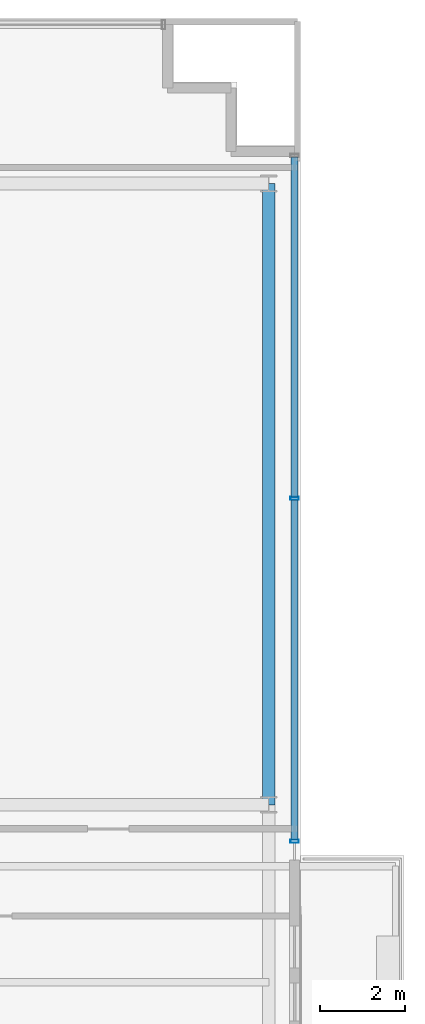
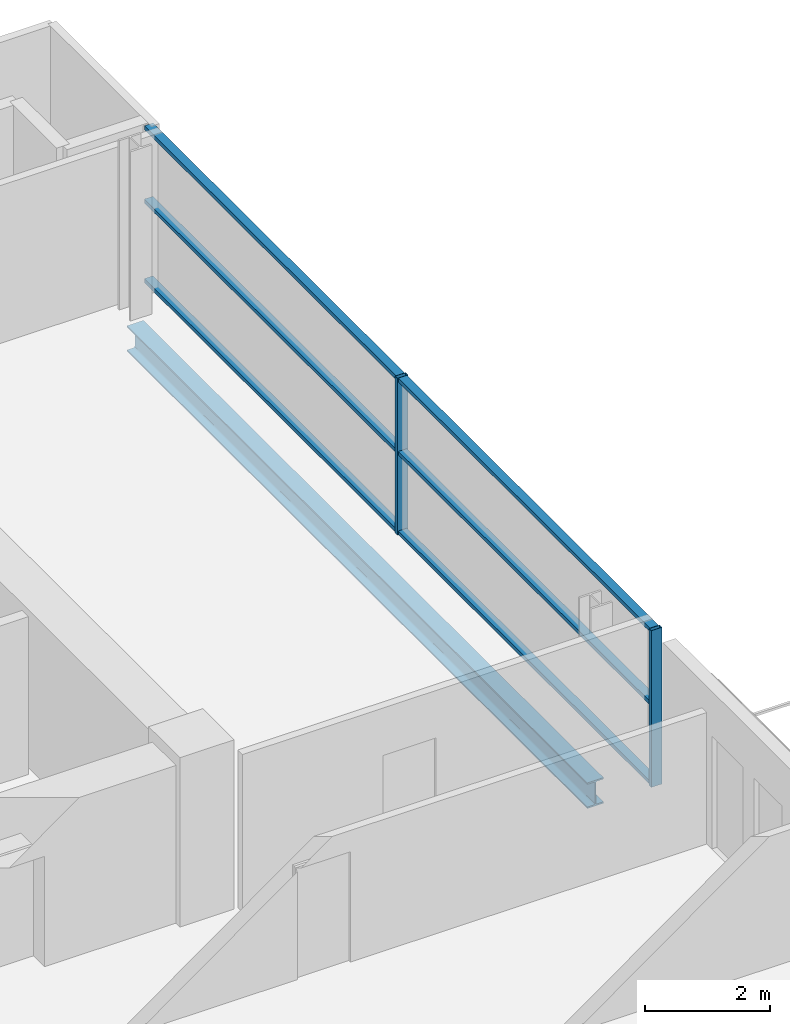
# One storey, part 12 of 25: 8 members, 1 beam, 1 element without a shape of its own.
"""IFC4 building model written with IfcOpenShell, lengths in metres."""

import ifcopenshell
import ifcopenshell.guid

model = None  # the IFC model being written
_history = None  # IfcOwnerHistory: only IFC2X3 demands one
_inside = {}  # id of a spatial element -> (the spatial element, [elements in it])
_under = {}  # id of a project, library or spatial element -> (it, [spatial elements below it])
_declared = {}  # id of a project -> (the project, [libraries it declares])
_typed = {}  # id of a type object -> (the type object, [elements of that type])
_made_of = {}  # id of a material, layer set ... -> (it, [elements and type objects made of it])


def new_model(schema):
    """Start an empty IFC model of exactly this schema.

    Asked for "IFC4X3", IfcOpenShell would pick the latest addendum, in which some entities
    have other attributes; the version numbers below select the first issue.
    IFC2X3 requires an IfcOwnerHistory on every rooted entity: one is made here for all.
    """
    global model, _history
    if schema == "IFC4X3":
        model = ifcopenshell.file(schema_version=(4, 3, 0, 0))
    else:
        model = ifcopenshell.file(schema=schema)
    _inside.clear()
    _under.clear()
    _declared.clear()
    _typed.clear()
    _made_of.clear()
    _history = None
    if model.schema == "IFC2X3":
        org = make("IfcOrganization", Name="unknown")
        user = make(
            "IfcPersonAndOrganization",
            ThePerson=make("IfcPerson", FamilyName="unknown"),
            TheOrganization=org,
        )
        app = make(
            "IfcApplication",
            ApplicationDeveloper=org,
            Version="unknown",
            ApplicationFullName="unknown",
            ApplicationIdentifier="unknown",
        )
        _history = make(
            "IfcOwnerHistory",
            OwningUser=user,
            OwningApplication=app,
            ChangeAction="ADDED",
            CreationDate=0,
        )
    return model


def make(cls, **values):
    """One entity of the class cls with the attributes given. An attribute that is None is left unset."""
    return model.create_entity(
        cls, **{name: value for name, value in values.items() if value is not None}
    )


def rooted(cls, **values):
    """An entity with a GlobalId (a new one), such as an element, a storey or a relation."""
    return make(cls, GlobalId=ifcopenshell.guid.new(), OwnerHistory=_history, **values)


def si_unit(unit_type, name, prefix=None):
    """IfcSIUnit, for example si_unit("LENGTHUNIT", "METRE", prefix="MILLI")."""
    return make("IfcSIUnit", UnitType=unit_type, Prefix=prefix, Name=name)


def assignment(units):
    """IfcUnitAssignment: the units of a project."""
    return None if units is None else make("IfcUnitAssignment", Units=units)


def point(xyz):
    """IfcCartesianPoint."""
    return None if xyz is None else make("IfcCartesianPoint", Coordinates=xyz)


def direction(xyz):
    """IfcDirection."""
    return None if xyz is None else make("IfcDirection", DirectionRatios=xyz)


def frame(location, z_axis=None, x_axis=None):
    """IfcAxis2Placement3D, a coordinate frame: its origin and axes. An axis left out is left unset."""
    return make(
        "IfcAxis2Placement3D",
        Location=point(location),
        Axis=direction(z_axis),
        RefDirection=direction(x_axis),
    )


def frame_2d(location, x_axis=None):
    """IfcAxis2Placement2D, a coordinate frame in the plane: its origin and x axis."""
    return make(
        "IfcAxis2Placement2D", Location=point(location), RefDirection=direction(x_axis)
    )


def origin():
    """The frame at (0, 0, 0) with its axes left unset."""
    return frame((0.0, 0.0, 0.0))


def origin_2d():
    """The frame at (0, 0) in the plane with its x axis left unset."""
    return frame_2d((0.0, 0.0))


def place(relative_to, where):
    """IfcLocalPlacement: puts the frame where relative to a parent placement (None: the world)."""
    return make(
        "IfcLocalPlacement", PlacementRelTo=relative_to, RelativePlacement=where
    )


def context(
    kind, dimensions, precision=None, world=None, true_north=None, identifier=None
):
    """IfcGeometricRepresentationContext, for example the 3D "Model" context."""
    return make(
        "IfcGeometricRepresentationContext",
        ContextIdentifier=identifier,
        ContextType=kind,
        CoordinateSpaceDimension=dimensions,
        Precision=precision,
        WorldCoordinateSystem=world,
        TrueNorth=true_north,
    )


def subcontext(parent, identifier, kind, view, scale=None):
    """IfcGeometricRepresentationSubContext, for example "Body" below "Model"."""
    return make(
        "IfcGeometricRepresentationSubContext",
        ContextIdentifier=identifier,
        ContextType=kind,
        ParentContext=parent,
        TargetScale=scale,
        TargetView=view,
    )


def project(units=None, contexts=None):
    """IfcProject with its units and contexts."""
    return rooted(
        "IfcProject",
        Name="project",
        RepresentationContexts=contexts,
        UnitsInContext=assignment(units),
    )


def spatial(cls, under=None, at=None, **own):
    """A site, building, storey or space (cls), placed at a placement, below another one or the project."""
    s = rooted(cls, ObjectPlacement=at, **own)
    if under is not None:
        _under.setdefault(under.id(), (under, []))[1].append(s)
    return s


def profile(cls, at=None, kind="AREA", **sizes):
    """A parametric profile (cls). Its sizes go by their IFC names, for example OverallWidth=200.0."""
    return make(cls, ProfileType=kind, Position=at, **sizes)


def hollow_rectangle(**sizes):
    """IfcRectangleHollowProfileDef."""
    return profile("IfcRectangleHollowProfileDef", **sizes)


def i_section(**sizes):
    """IfcIShapeProfileDef."""
    return profile("IfcIShapeProfileDef", **sizes)


def extrude(swept, where, along, depth):
    """IfcExtrudedAreaSolid: the profile swept, set in the frame where, extruded along a direction by depth."""
    return make(
        "IfcExtrudedAreaSolid",
        SweptArea=swept,
        Position=where,
        ExtrudedDirection=direction(along),
        Depth=depth,
    )


def shape(context_of_items, identifier, shape_type, items):
    """IfcShapeRepresentation: the items that make up one representation, for example the "Body"."""
    return make(
        "IfcShapeRepresentation",
        ContextOfItems=context_of_items,
        RepresentationIdentifier=identifier,
        RepresentationType=shape_type,
        Items=items,
    )


def source(mapping_origin, context_of_items, identifier, shape_type, items):
    """IfcRepresentationMap: a shape defined once, which mapped items show again and again."""
    return make(
        "IfcRepresentationMap",
        MappingOrigin=mapping_origin,
        MappedRepresentation=shape(context_of_items, identifier, shape_type, items),
    )


def transform(
    local_origin,
    x_axis=None,
    y_axis=None,
    z_axis=None,
    scale=None,
    scale2=None,
    scale3=None,
    uniform=True,
):
    """IfcCartesianTransformationOperator3D, or its non-uniform kind. x_axis, y_axis, z_axis: its Axis1, 2, 3."""
    if uniform:
        return make(
            "IfcCartesianTransformationOperator3D",
            Axis1=direction(x_axis),
            Axis2=direction(y_axis),
            LocalOrigin=point(local_origin),
            Scale=scale,
            Axis3=direction(z_axis),
        )
    return make(
        "IfcCartesianTransformationOperator3DnonUniform",
        Axis1=direction(x_axis),
        Axis2=direction(y_axis),
        LocalOrigin=point(local_origin),
        Scale=scale,
        Axis3=direction(z_axis),
        Scale2=scale2,
        Scale3=scale3,
    )


def mapped(mapping_source, mapping_target):
    """IfcMappedItem: shows the shape of a source again, moved by a transform."""
    return make(
        "IfcMappedItem", MappingSource=mapping_source, MappingTarget=mapping_target
    )


def material(Name=None, Category=None):
    """IfcMaterial."""
    return make("IfcMaterial", Name=Name, Category=Category)


def layer(
    of_material, thickness, ventilated=None, Name=None, Category=None, Priority=None
):
    """IfcMaterialLayer: one layer of a wall or slab, of a material (None: an air gap)."""
    return make(
        "IfcMaterialLayer",
        Material=of_material,
        LayerThickness=thickness,
        IsVentilated=ventilated,
        Name=Name,
        Category=Category,
        Priority=Priority,
    )


def layer_set(layers, Name=None):
    """IfcMaterialLayerSet."""
    return make("IfcMaterialLayerSet", MaterialLayers=layers, LayerSetName=Name)


def material_profile(
    of_material, cross_section, Name=None, Category=None, Priority=None
):
    """IfcMaterialProfile: a cross section and its material."""
    return make(
        "IfcMaterialProfile",
        Name=Name,
        Material=of_material,
        Profile=cross_section,
        Priority=Priority,
        Category=Category,
    )


def profile_set(profiles, Name=None, composite=None):
    """IfcMaterialProfileSet."""
    return make(
        "IfcMaterialProfileSet",
        Name=Name,
        MaterialProfiles=profiles,
        CompositeProfile=composite,
    )


def made_of(thing, what):
    """Note that an element or type object is made of a material, layer set ...; save() writes the relation."""
    if what is not None:
        _made_of.setdefault(what.id(), (what, []))[1].append(thing)
    return thing


def type_object(cls, material=None, **own):
    """A type object (cls), such as IfcWallType, which elements share."""
    return made_of(rooted(cls, **own), material)


def element(
    cls,
    number,
    at=None,
    inside=None,
    cuts=None,
    type_object=None,
    material=None,
    context=None,
    identifier="Body",
    shape_type=None,
    held_by="IfcProductDefinitionShape",
    body=None,
    shapes=None,
    **own,
):
    """One element of the class cls, such as IfcWall. Its Tag is "e" and its number.

    at: its placement. inside: the storey or other place that contains it. cuts: it is an
    opening in that element (IfcRelVoidsElement). A single representation is given by context,
    identifier, shape_type and body (its items); several are given by shapes. held_by: the class
    of the entity that holds the representations. save() writes the other relations.
    """
    e = rooted(cls, Tag="e%d" % number, ObjectPlacement=at, **own)
    if body is not None:
        shapes = [shape(context, identifier, shape_type, body)]
    if shapes is not None:
        e.Representation = make(held_by, Representations=shapes)
    if inside is not None:
        _inside.setdefault(inside.id(), (inside, []))[1].append(e)
    if cuts is not None:
        rooted(
            "IfcRelVoidsElement", RelatingBuildingElement=cuts, RelatedOpeningElement=e
        )
    if type_object is not None:
        _typed.setdefault(type_object.id(), (type_object, []))[1].append(e)
    return made_of(e, material)


def aggregate(whole, parts):
    """IfcRelAggregates: a whole, such as a stair, and the parts it consists of."""
    return rooted("IfcRelAggregates", RelatingObject=whole, RelatedObjects=parts)


def save(model, path):
    """Write the relations noted so far, then the file.

    IfcRelAggregates (storeys below a building ...), IfcRelContainedInSpatialStructure (elements
    in a storey), IfcRelDefinesByType, IfcRelAssociatesMaterial and IfcRelDeclares: one each for
    every whole, place, type object, material and project.
    """
    for whole, parts in _under.values():
        aggregate(whole, parts)
    for where, things in _inside.values():
        rooted(
            "IfcRelContainedInSpatialStructure",
            RelatedElements=things,
            RelatingStructure=where,
        )
    for kind, things in _typed.values():
        rooted("IfcRelDefinesByType", RelatedObjects=things, RelatingType=kind)
    for what, things in _made_of.values():
        rooted("IfcRelAssociatesMaterial", RelatedObjects=things, RelatingMaterial=what)
    for by, libraries in _declared.values():
        rooted("IfcRelDeclares", RelatingContext=by, RelatedDefinitions=libraries)
    model.write(path)


model = new_model("IFC4")

# Units and contexts
model_context = context("Model", 3, precision=1e-05, world=origin(), true_north=direction((0.0, 1.0)))
body_context = subcontext(model_context, "Body", "Model", "MODEL_VIEW")
ifc_project = project(units=[si_unit("LENGTHUNIT", "METRE"), si_unit("AREAUNIT", "SQUARE_METRE"), si_unit("VOLUMEUNIT", "CUBIC_METRE"), si_unit("PLANEANGLEUNIT", "RADIAN"), si_unit("MASSUNIT", "GRAM", prefix="KILO")], contexts=[model_context])

# Site, building, storey
site_placement = place(None, origin())
site = spatial("IfcSite", under=ifc_project, at=site_placement, CompositionType="ELEMENT")
building_placement = place(site_placement, origin())
building = spatial("IfcBuilding", under=site, at=building_placement, Name="Zarnakvel Exchange Tower", CompositionType="ELEMENT")
storey_placement = place(building_placement, frame((0.0, 0.0, 169.300048828125)))
storey = spatial("IfcBuildingStorey", under=building, at=storey_placement, Name="L47", CompositionType="ELEMENT", Elevation=169.300048828125)

# Beam
ifc_material_1 = material(Name="Steel S355", Category="steel")
ifc_material_profile_1 = material_profile(ifc_material_1, i_section(OverallWidth=0.300048828125, OverallDepth=0.5, WebThickness=0.014404296875, FlangeThickness=0.028076171875, FilletRadius=0.027099609375, at=origin_2d()))
ifc_profile_set_1 = profile_set([ifc_material_profile_1], Name="Steel S355")
beam_type = type_object("IfcBeamType", Name="SP-02", PredefinedType="SPANDREL", material=ifc_profile_set_1)
beam_placement = place(storey_placement, frame((21.85009765625, -1.199951171875, -0.47509765625), z_axis=(0.0, 1.0, 0.0), x_axis=(-1.0, 0.0, 0.0)))
element("IfcBeam", 1, at=beam_placement, inside=storey, type_object=beam_type, Name="L47 Tower N-S Frame Beam", PredefinedType="SPANDREL", context=body_context, shape_type="SweptSolid", body=[
    extrude(i_section(OverallWidth=0.300048828125, OverallDepth=0.5, WebThickness=0.014404296875, FlangeThickness=0.028076171875, FilletRadius=0.027099609375, at=origin_2d()), origin(), (0.0, 0.0, 1.0), 14.699951171875),
])

# Curtain wall, members
ifc_material_2 = material(Name="Architectural Bronze Anodised Aluminium", Category="aluminium")
ifc_layer = layer(ifc_material_2, 0.199951171875)
ifc_layer_set = layer_set([ifc_layer], Name="Architectural Bronze Anodised Aluminium")
curtain_wall_type = type_object("IfcCurtainWallType", Name="CW-04", PredefinedType="NOTDEFINED", material=ifc_layer_set)
curtain_wall_placement = place(storey_placement, origin())
curtain_wall = element("IfcCurtainWall", 2, at=curtain_wall_placement, inside=storey, type_object=curtain_wall_type, Name="L47 Curtain Wall CW-L47-EN (CW-04)", PredefinedType="NOTDEFINED")
ifc_material_profile_2 = material_profile(ifc_material_2, hollow_rectangle(XDim=0.199951171875, YDim=0.074951171875, WallThickness=0.0048828125, at=origin_2d()))
ifc_profile_set_2 = profile_set([ifc_material_profile_2], Name="Architectural Bronze Anodised Aluminium")
member_type_1 = type_object("IfcMemberType", Name="CWM-04", PredefinedType="MULLION", material=ifc_profile_set_2)
shared_shape_1 = source(origin(), body_context, "Body", "SweptSolid", [
    extrude(hollow_rectangle(XDim=0.199951171875, YDim=0.074951171875, WallThickness=0.0048828125, at=origin_2d()), origin(), (0.0, 0.0, 1.0), 3.054931640625),
])
member_1_placement = place(storey_placement, frame((22.4599609375, -2.0625, 0.0), z_axis=(0.0, 0.0, 1.0), x_axis=(-1.0, 0.0, 0.0)))
member_1 = element("IfcMember", 3, at=member_1_placement, type_object=member_type_1, Name="CW-04 mullion 1", PredefinedType="MULLION", context=body_context, shape_type="MappedRepresentation", body=[
    mapped(shared_shape_1, transform((0.0, 0.0, 0.0), x_axis=(1.0, 0.0, 0.0), y_axis=(0.0, 1.0, 0.0), z_axis=(0.0, 0.0, 1.0), scale=1.0)),
])
member_2_placement = place(storey_placement, frame((22.4599609375, 6.050048828125, 0.0), z_axis=(0.0, 0.0, 1.0), x_axis=(-1.0, 0.0, 0.0)))
member_2 = element("IfcMember", 4, at=member_2_placement, type_object=member_type_1, Name="CW-04 mullion 2", PredefinedType="MULLION", context=body_context, shape_type="MappedRepresentation", body=[
    mapped(shared_shape_1, transform((0.0, 0.0, 0.0), x_axis=(1.0, 0.0, 0.0), y_axis=(0.0, 1.0, 0.0), z_axis=(0.0, 0.0, 1.0), scale=1.0)),
])
ifc_material_profile_3 = material_profile(ifc_material_2, hollow_rectangle(XDim=0.159912109375, YDim=0.074951171875, WallThickness=0.00390625, at=origin_2d()))
ifc_profile_set_3 = profile_set([ifc_material_profile_3], Name="Architectural Bronze Anodised Aluminium")
member_type_2 = type_object("IfcMemberType", Name="CWT-04", PredefinedType="USERDEFINED", material=ifc_profile_set_3)
shared_shape_2 = source(origin(), body_context, "Body", "SweptSolid", [
    extrude(hollow_rectangle(XDim=0.159912109375, YDim=0.074951171875, WallThickness=0.00390625, at=origin_2d()), origin(), (0.0, 0.0, 1.0), 8.037353515625),
])
member_3_placement = place(storey_placement, frame((22.4599609375, -2.02490234375, 0.037353515625), z_axis=(0.0, 1.0, 0.0), x_axis=(-1.0, 0.0, 0.0)))
member_3 = element("IfcMember", 5, at=member_3_placement, type_object=member_type_2, Name="CW-04 transom 1.1", ObjectType="TRANSOM", PredefinedType="USERDEFINED", context=body_context, shape_type="MappedRepresentation", body=[
    mapped(shared_shape_2, transform((0.0, 0.0, 0.0), x_axis=(1.0, 0.0, 0.0), y_axis=(0.0, 1.0, 0.0), z_axis=(0.0, 0.0, 1.0), scale=1.0)),
])
member_4_placement = place(storey_placement, frame((22.4599609375, -2.02490234375, 1.588623046875), z_axis=(0.0, 1.0, 0.0), x_axis=(-1.0, 0.0, 0.0)))
member_4 = element("IfcMember", 6, at=member_4_placement, type_object=member_type_2, Name="CW-04 transom 1.2", ObjectType="TRANSOM", PredefinedType="USERDEFINED", context=body_context, shape_type="MappedRepresentation", body=[
    mapped(shared_shape_2, transform((0.0, 0.0, 0.0), x_axis=(1.0, 0.0, 0.0), y_axis=(0.0, 1.0, 0.0), z_axis=(0.0, 0.0, 1.0), scale=1.0)),
])
member_5_placement = place(storey_placement, frame((22.4599609375, -2.02490234375, 3.017333984375), z_axis=(0.0, 1.0, 0.0), x_axis=(-1.0, 0.0, 0.0)))
member_5 = element("IfcMember", 7, at=member_5_placement, type_object=member_type_2, Name="CW-04 transom 1.3", ObjectType="TRANSOM", PredefinedType="USERDEFINED", context=body_context, shape_type="MappedRepresentation", body=[
    mapped(shared_shape_2, transform((0.0, 0.0, 0.0), x_axis=(1.0, 0.0, 0.0), y_axis=(0.0, 1.0, 0.0), z_axis=(0.0, 0.0, 1.0), scale=1.0)),
])
shared_shape_3 = source(origin(), body_context, "Body", "SweptSolid", [
    extrude(hollow_rectangle(XDim=0.159912109375, YDim=0.074951171875, WallThickness=0.00390625, at=origin_2d()), origin(), (0.0, 0.0, 1.0), 8.03759765625),
])
member_6_placement = place(storey_placement, frame((22.4599609375, 6.08740234375, 0.037353515625), z_axis=(0.0, 1.0, 0.0), x_axis=(-1.0, 0.0, 0.0)))
member_6 = element("IfcMember", 8, at=member_6_placement, type_object=member_type_2, Name="CW-04 transom 2.1", ObjectType="TRANSOM", PredefinedType="USERDEFINED", context=body_context, shape_type="MappedRepresentation", body=[
    mapped(shared_shape_3, transform((0.0, 0.0, 0.0), x_axis=(1.0, 0.0, 0.0), y_axis=(0.0, 1.0, 0.0), z_axis=(0.0, 0.0, 1.0), scale=1.0)),
])
member_7_placement = place(storey_placement, frame((22.4599609375, 6.08740234375, 1.588623046875), z_axis=(0.0, 1.0, 0.0), x_axis=(-1.0, 0.0, 0.0)))
member_7 = element("IfcMember", 9, at=member_7_placement, type_object=member_type_2, Name="CW-04 transom 2.2", ObjectType="TRANSOM", PredefinedType="USERDEFINED", context=body_context, shape_type="MappedRepresentation", body=[
    mapped(shared_shape_3, transform((0.0, 0.0, 0.0), x_axis=(1.0, 0.0, 0.0), y_axis=(0.0, 1.0, 0.0), z_axis=(0.0, 0.0, 1.0), scale=1.0)),
])
member_8_placement = place(storey_placement, frame((22.4599609375, 6.08740234375, 3.017333984375), z_axis=(0.0, 1.0, 0.0), x_axis=(-1.0, 0.0, 0.0)))
member_8 = element("IfcMember", 10, at=member_8_placement, type_object=member_type_2, Name="CW-04 transom 2.3", ObjectType="TRANSOM", PredefinedType="USERDEFINED", context=body_context, shape_type="MappedRepresentation", body=[
    mapped(shared_shape_3, transform((0.0, 0.0, 0.0), x_axis=(1.0, 0.0, 0.0), y_axis=(0.0, 1.0, 0.0), z_axis=(0.0, 0.0, 1.0), scale=1.0)),
])
aggregate(curtain_wall, [member_1, member_2, member_3, member_4, member_5, member_6, member_7, member_8])

save(model, "model.ifc")
